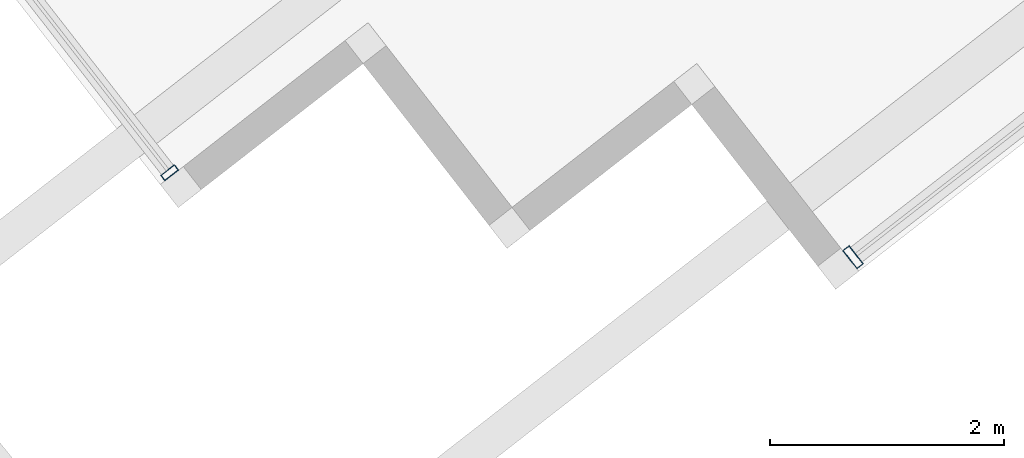
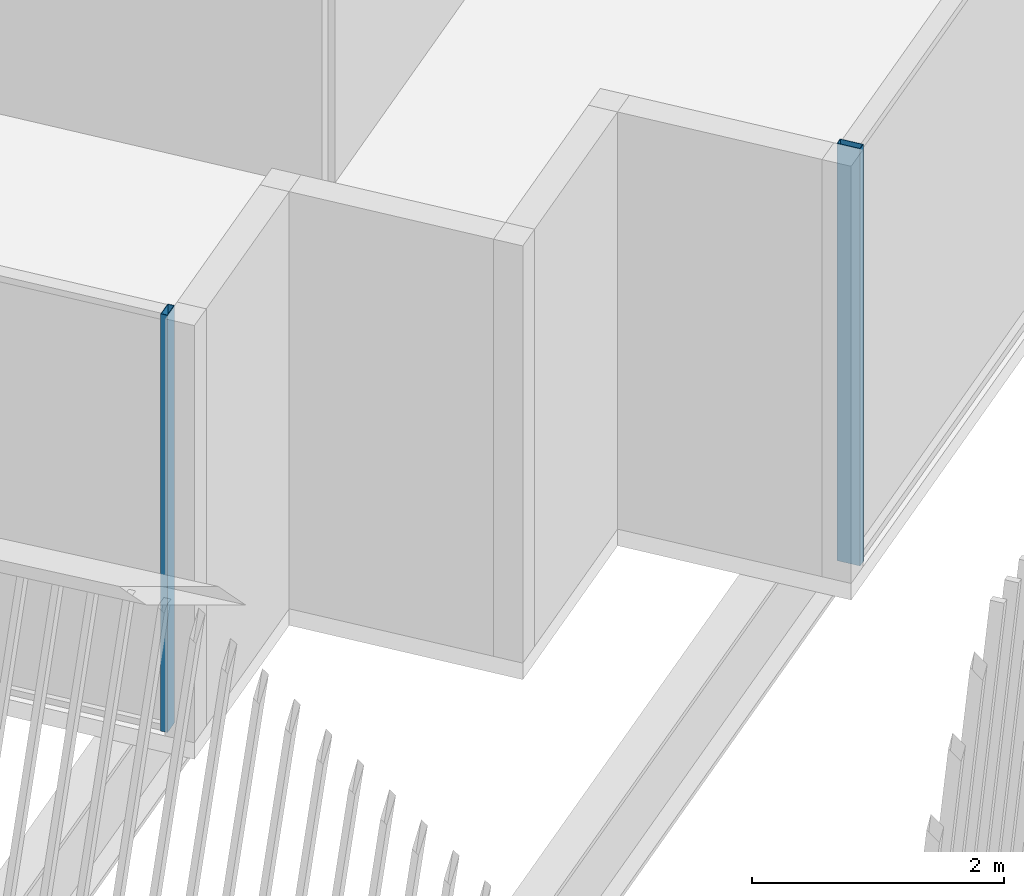
# One storey, part 8 of 28: 2 members, 2 elements without a shape of their own.
"""IFC4 building model written with IfcOpenShell, lengths in metres."""

from ifc_helpers import new_model, si_unit, direction, frame, origin, origin_2d, place, context, subcontext, project, spatial, hollow_rectangle, extrude, material, layer, layer_set, material_profile, profile_set, type_object, element, aggregate, save


model = new_model("IFC4")

# Units and contexts
model_context = context("Model", 3, precision=1e-05, world=origin(), true_north=direction((0.0, 1.0)))
body_context = subcontext(model_context, "Body", "Model", "MODEL_VIEW")
ifc_project = project(units=[si_unit("LENGTHUNIT", "METRE"), si_unit("AREAUNIT", "SQUARE_METRE"), si_unit("VOLUMEUNIT", "CUBIC_METRE"), si_unit("PLANEANGLEUNIT", "RADIAN"), si_unit("MASSUNIT", "GRAM", prefix="KILO")], contexts=[model_context])

# Site, building, storey
site_placement = place(None, origin())
site = spatial("IfcSite", under=ifc_project, at=site_placement, CompositionType="ELEMENT")
building_placement = place(site_placement, origin())
building = spatial("IfcBuilding", under=site, at=building_placement, Name="Tarsis Ring Headquarters", CompositionType="ELEMENT")
storey_placement = place(building_placement, frame((0.0, 0.0, 381.800048828125)))
storey = spatial("IfcBuildingStorey", under=building, at=storey_placement, Name="L90", CompositionType="ELEMENT", Elevation=381.800048828125)

# Curtain wall, member
ifc_material_1 = material(Name="Aluminium curtain wall", Category="aluminium")
ifc_layer_1 = layer(ifc_material_1, 0.199951171875)
ifc_layer_set_1 = layer_set([ifc_layer_1], Name="Curtain wall executive tip")
curtain_wall_type_1 = type_object("IfcCurtainWallType", Name="Curtain wall executive tip", PredefinedType="NOTDEFINED", material=ifc_layer_set_1)
curtain_wall_1_placement = place(storey_placement, origin())
curtain_wall_1 = element("IfcCurtainWall", 1, at=curtain_wall_1_placement, inside=storey, type_object=curtain_wall_type_1, Name="Curtain wall L90-11", PredefinedType="NOTDEFINED")
ifc_material_2 = material(Name="Aluminium mullion", Category="aluminium")
ifc_material_profile_1 = material_profile(ifc_material_2, hollow_rectangle(XDim=0.199951171875, YDim=0.070068359375, WallThickness=0.0048828125, at=origin_2d()), Name="RHS 200x70x5")
ifc_profile_set_1 = profile_set([ifc_material_profile_1], Name="Aluminium mullion")
member_type_1 = type_object("IfcMemberType", Name="Curtain wall mullion executive tip RHS 200x70x5", PredefinedType="MULLION", material=ifc_profile_set_1)
member_1_placement = place(storey_placement, frame((13.5029296875, -29.886474609375, 0.0), z_axis=(0.0, 0.0, 1.0), x_axis=(-0.61456055753, 0.788869647742, 0.0)))
member_1 = element("IfcMember", 2, at=member_1_placement, type_object=member_type_1, Name="CW-E mullion 1", PredefinedType="MULLION", context=body_context, shape_type="SweptSolid", body=[
    extrude(hollow_rectangle(XDim=0.199951171875, YDim=0.070068359375, WallThickness=0.0048828125, at=origin_2d()), origin(), (0.0, 0.0, 1.0), 4.0400390625),
])
aggregate(curtain_wall_1, [member_1])

ifc_layer_2 = layer(ifc_material_1, 0.14990234375)
ifc_layer_set_2 = layer_set([ifc_layer_2], Name="Curtain wall tower unit")
curtain_wall_type_2 = type_object("IfcCurtainWallType", Name="Curtain wall tower unit", PredefinedType="NOTDEFINED", material=ifc_layer_set_2)
curtain_wall_2_placement = place(storey_placement, origin())
curtain_wall_2 = element("IfcCurtainWall", 3, at=curtain_wall_2_placement, inside=storey, type_object=curtain_wall_type_2, Name="Curtain wall L90-06", PredefinedType="NOTDEFINED")
ifc_material_profile_2 = material_profile(ifc_material_2, hollow_rectangle(XDim=0.14990234375, YDim=0.06005859375, WallThickness=0.0048828125, at=origin_2d()), Name="RHS 150x60x5")
ifc_profile_set_2 = profile_set([ifc_material_profile_2], Name="Aluminium mullion")
member_type_2 = type_object("IfcMemberType", Name="Curtain wall mullion tower unit RHS 150x60x5", PredefinedType="MULLION", material=ifc_profile_set_2)
member_2_placement = place(storey_placement, frame((7.667724609375, -29.165283203125, 0.0), z_axis=(0.0, 0.0, 1.0), x_axis=(0.78886968819, 0.61456050561, 0.0)))
member_2 = element("IfcMember", 4, at=member_2_placement, type_object=member_type_2, Name="CW-T mullion 3", PredefinedType="MULLION", context=body_context, shape_type="SweptSolid", body=[
    extrude(hollow_rectangle(XDim=0.14990234375, YDim=0.06005859375, WallThickness=0.0048828125, at=origin_2d()), origin(), (0.0, 0.0, 1.0), 4.0400390625),
])
aggregate(curtain_wall_2, [member_2])

save(model, "model.ifc")
